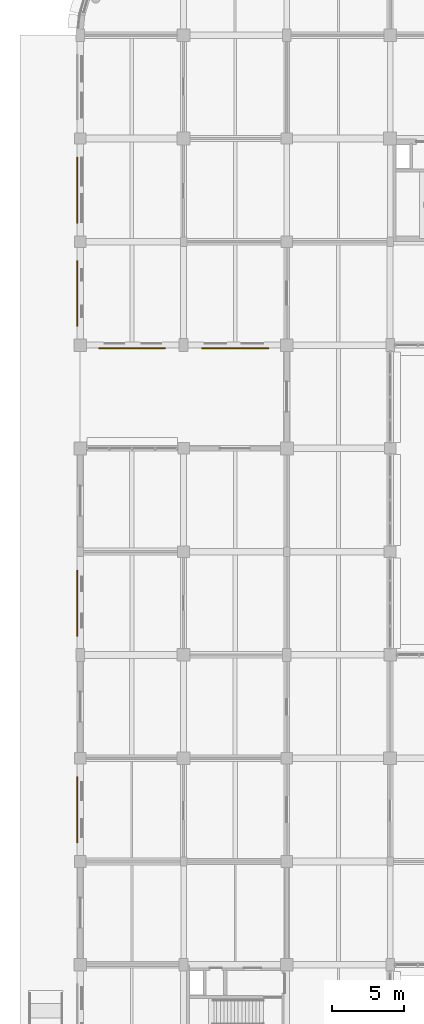
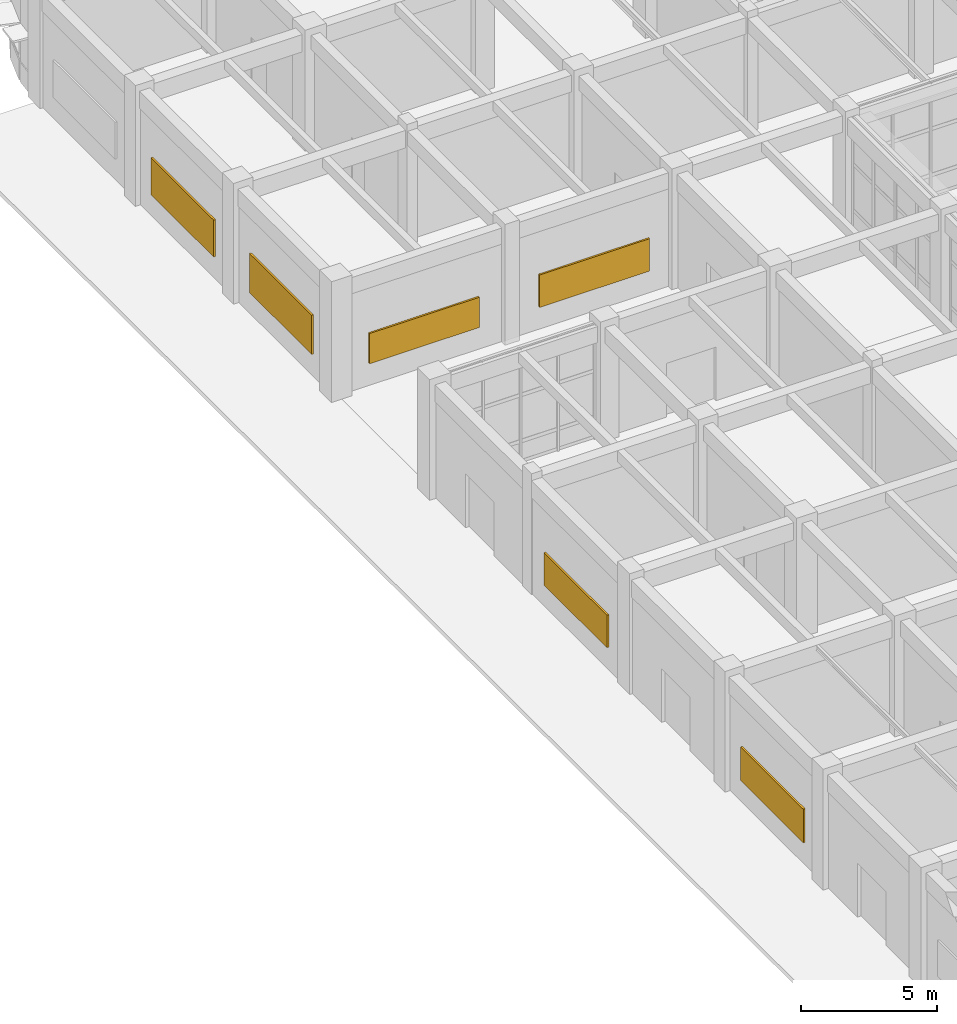
# One storey, part 154 of 160: 6 shading devices.
"""IFC4 building model written with IfcOpenShell, lengths in metres."""

from ifc_helpers import new_model, si_unit, direction, frame, origin, origin_2d, place, context, subcontext, project, spatial, rectangle, extrude, material, layer, layer_set, type_object, element, save


model = new_model("IFC4")

# Units and contexts
model_context = context("Model", 3, precision=1e-05, world=origin(), true_north=direction((0.0, 1.0)))
body_context = subcontext(model_context, "Body", "Model", "MODEL_VIEW")
ifc_project = project(units=[si_unit("LENGTHUNIT", "METRE"), si_unit("AREAUNIT", "SQUARE_METRE"), si_unit("VOLUMEUNIT", "CUBIC_METRE"), si_unit("PLANEANGLEUNIT", "RADIAN"), si_unit("MASSUNIT", "GRAM", prefix="KILO")], contexts=[model_context])

# Site, building, storey
site_placement = place(None, origin())
site = spatial("IfcSite", under=ifc_project, at=site_placement, CompositionType="ELEMENT")
building_placement = place(site_placement, origin())
building = spatial("IfcBuilding", under=site, at=building_placement, Name="Thalmaran Polytechnic", CompositionType="ELEMENT")
storey_placement = place(building_placement, origin())
storey = spatial("IfcBuildingStorey", under=building, at=storey_placement, Name="L00", CompositionType="ELEMENT", Elevation=0.0)

# Shading devices
ifc_material = material(Name="Perforated anodised-bronze aluminium screen", Category="aluminium")
ifc_layer = layer(ifc_material, 0.080078125, Name="Perforated anodised-bronze aluminium screen")
ifc_layer_set = layer_set([ifc_layer], Name="Perforated anodised-bronze aluminium screen")
shading_device_type = type_object("IfcShadingDeviceType", Name="SH-JL01", PredefinedType="JALOUSIE", material=ifc_layer_set)
shading_device_1_placement = place(storey_placement, frame((-0.219970703125, 61.199951171875, 1.02490234375), z_axis=(0.0, 0.0, 1.0), x_axis=(0.0, 1.0, 0.0)))
element("IfcShadingDevice", 1, at=shading_device_1_placement, inside=storey, type_object=shading_device_type, Name="Anodised-Bronze Mashrabiya Solar Screen L00-009", PredefinedType="JALOUSIE", context=body_context, shape_type="SweptSolid", body=[
    extrude(rectangle(XDim=4.600830078125, YDim=0.080078125, at=origin_2d()), origin(), (0.0, 0.0, 1.0), 1.5),
])
shading_device_2_placement = place(storey_placement, frame((-0.219970703125, 75.60009765625, 1.02490234375), z_axis=(0.0, 0.0, 1.0), x_axis=(0.0, 1.0, 0.0)))
element("IfcShadingDevice", 2, at=shading_device_2_placement, inside=storey, type_object=shading_device_type, Name="Anodised-Bronze Mashrabiya Solar Screen L00-011", PredefinedType="JALOUSIE", context=body_context, shape_type="SweptSolid", body=[
    extrude(rectangle(XDim=4.6259765625, YDim=0.080078125, at=origin_2d()), origin(), (0.0, 0.0, 1.0), 1.449951171875),
])
shading_device_3_placement = place(storey_placement, frame((10.800048828125, 93.3798828125, 1.02490234375), z_axis=(0.0, 0.0, 1.0), x_axis=(-1.0, 0.0, 0.0)))
element("IfcShadingDevice", 3, at=shading_device_3_placement, inside=storey, type_object=shading_device_type, Name="Anodised-Bronze Mashrabiya Solar Screen L00-016", PredefinedType="JALOUSIE", context=body_context, shape_type="SweptSolid", body=[
    extrude(rectangle(XDim=4.651123046875, YDim=0.080078125, at=origin_2d()), origin(), (0.0, 0.0, 1.0), 1.449951171875),
])
shading_device_4_placement = place(storey_placement, frame((3.60009765625, 93.3798828125, 1.02490234375), z_axis=(0.0, 0.0, 1.0), x_axis=(-1.0, 0.0, 0.0)))
element("IfcShadingDevice", 4, at=shading_device_4_placement, inside=storey, type_object=shading_device_type, Name="Anodised-Bronze Mashrabiya Solar Screen L00-017", PredefinedType="JALOUSIE", context=body_context, shape_type="SweptSolid", body=[
    extrude(rectangle(XDim=4.651123046875, YDim=0.080078125, at=origin_2d()), origin(), (0.0, 0.0, 1.0), 1.35009765625),
])
shading_device_5_placement = place(storey_placement, frame((-0.219970703125, 97.199951171875, 1.02490234375), z_axis=(0.0, 0.0, 1.0), x_axis=(0.0, 1.0, 0.0)))
element("IfcShadingDevice", 5, at=shading_device_5_placement, inside=storey, type_object=shading_device_type, Name="Anodised-Bronze Mashrabiya Solar Screen L00-018", PredefinedType="JALOUSIE", context=body_context, shape_type="SweptSolid", body=[
    extrude(rectangle(XDim=4.572021484375, YDim=0.080078125, at=origin_2d()), origin(), (0.0, 0.0, 1.0), 1.75),
])
shading_device_6_placement = place(storey_placement, frame((-0.219970703125, 104.39990234375, 1.025146484375), z_axis=(0.0, 0.0, 1.0), x_axis=(0.0, 1.0, 0.0)))
element("IfcShadingDevice", 6, at=shading_device_6_placement, inside=storey, type_object=shading_device_type, Name="Anodised-Bronze Mashrabiya Solar Screen L00-019", PredefinedType="JALOUSIE", context=body_context, shape_type="SweptSolid", body=[
    extrude(rectangle(XDim=4.600830078125, YDim=0.080078125, at=origin_2d()), origin(), (0.0, 0.0, 1.0), 1.64990234375),
])

save(model, "model.ifc")
